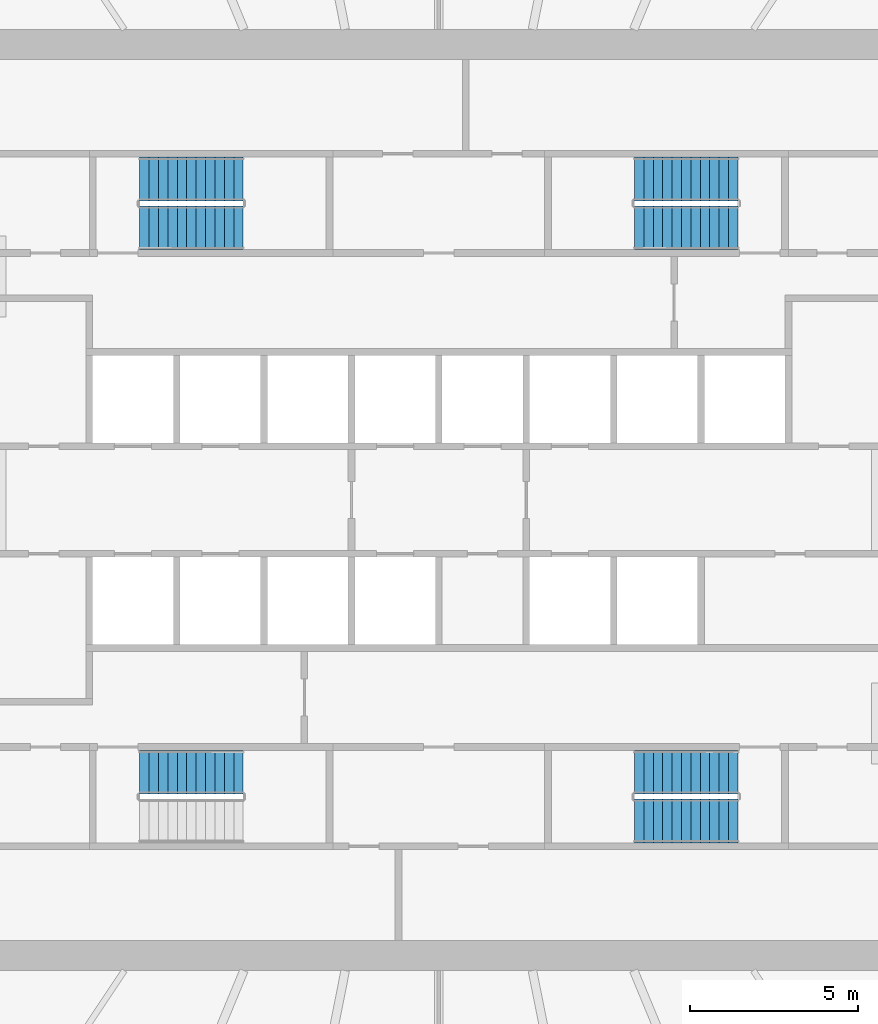
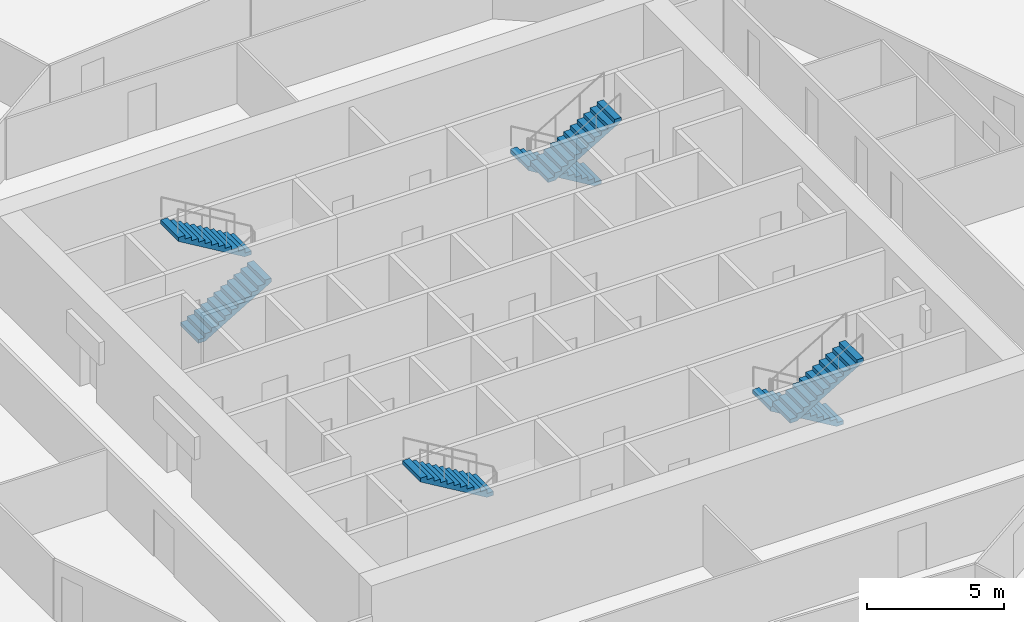
# One storey, part 8 of 9: 7 stair flights, 4 elements without a shape of their own.
"""IFC4 building model written with IfcOpenShell, lengths in metres."""

from ifc_helpers import new_model, si_unit, direction, frame, origin, place, context, subcontext, project, spatial, polyline, outline, extrude, material, type_object, element, aggregate, save


model = new_model("IFC4")

# Units and contexts
model_context = context("Model", 3, precision=1e-05, world=origin(), true_north=direction((0.0, 1.0)))
body_context = subcontext(model_context, "Body", "Model", "MODEL_VIEW")
ifc_project = project(units=[si_unit("LENGTHUNIT", "METRE"), si_unit("AREAUNIT", "SQUARE_METRE"), si_unit("VOLUMEUNIT", "CUBIC_METRE"), si_unit("PLANEANGLEUNIT", "RADIAN"), si_unit("MASSUNIT", "GRAM", prefix="KILO")], contexts=[model_context])

# Site, building, storey
site_placement = place(None, origin())
site = spatial("IfcSite", under=ifc_project, at=site_placement, CompositionType="ELEMENT")
building_placement = place(site_placement, origin())
building = spatial("IfcBuilding", under=site, at=building_placement, Name="Corvane Civic Tower", CompositionType="ELEMENT")
storey_placement = place(building_placement, frame((0.0, 0.0, 180.0)))
storey = spatial("IfcBuildingStorey", under=building, at=storey_placement, Name="L42", CompositionType="ELEMENT", Elevation=180.0)

# Stair, stair flights
ifc_material_1 = material(Name="Concrete C40/50", Category="concrete")
stair_type = type_object("IfcStairType", Name="ST-STAIR-HALFTURN", PredefinedType="HALF_TURN_STAIR", material=ifc_material_1)
stair_1_placement = place(storey_placement, origin())
stair_1 = element("IfcStair", 1, at=stair_1_placement, inside=storey, type_object=stair_type, Name="L42 Exit stair ST1", PredefinedType="HALF_TURN_STAIR")
ifc_material_2 = material(Name="Concrete C40/50", Category="concrete")
stair_flight_type = type_object("IfcStairFlightType", Name="ST-FLIGHT-RC", PredefinedType="STRAIGHT", material=ifc_material_2)
stair_flight_1_placement = place(storey_placement, frame((8.89990234375, 9.550048828125, 0.0), z_axis=(0.0, 0.0, 1.0), x_axis=(-1.0, 0.0, 0.0)))
stair_flight_1 = element("IfcStairFlight", 2, at=stair_flight_1_placement, type_object=stair_flight_type, Name="ST1 flight 1", NumberOfRisers=12, NumberOfTreads=11, PredefinedType="STRAIGHT", RiserHeight=0.166666667, TreadLength=0.28, context=body_context, shape_type="SweptSolid", body=[
    extrude(outline(polyline([(0.0, 0.0), (0.0, 0.166748046875), (0.280029296875, 0.166748046875), (0.280029296875, 0.333251953125), (0.56005859375, 0.333251953125), (0.56005859375, 0.5), (0.840087890625, 0.5), (0.840087890625, 0.666748046875), (1.1201171875, 0.666748046875), (1.1201171875, 0.833251953125), (1.39990234375, 0.833251953125), (1.39990234375, 1.0), (1.679931640625, 1.0), (1.679931640625, 1.166748046875), (1.9599609375, 1.166748046875), (1.9599609375, 1.333251953125), (2.239990234375, 1.333251953125), (2.239990234375, 1.5), (2.52001953125, 1.5), (2.52001953125, 1.666748046875), (2.800048828125, 1.666748046875), (2.800048828125, 1.833251953125), (3.080078125, 1.833251953125), (3.080078125, 2.0), (3.080078125, 1.658935546875), (0.29296875, 0.0), (0.0, 0.0)])), frame((0.0, 0.64990234375, 0.0), z_axis=(0.0, -1.0, 0.0), x_axis=(1.0, 0.0, 0.0)), (0.0, 0.0, 1.0), 1.300048828125),
])
stair_flight_2_placement = place(storey_placement, frame((5.820068359375, 8.10009765625, 2.0), z_axis=(0.0, 0.0, 1.0), x_axis=(1.0, 0.0, 0.0)))
stair_flight_2 = element("IfcStairFlight", 3, at=stair_flight_2_placement, type_object=stair_flight_type, Name="ST1 flight 2", NumberOfRisers=12, NumberOfTreads=11, PredefinedType="STRAIGHT", RiserHeight=0.166666667, TreadLength=0.28, context=body_context, shape_type="SweptSolid", body=[
    extrude(outline(polyline([(0.0, 0.0), (0.0, 0.166748046875), (0.280029296875, 0.166748046875), (0.280029296875, 0.333251953125), (0.56005859375, 0.333251953125), (0.56005859375, 0.5), (0.840087890625, 0.5), (0.840087890625, 0.666748046875), (1.1201171875, 0.666748046875), (1.1201171875, 0.833251953125), (1.39990234375, 0.833251953125), (1.39990234375, 1.0), (1.679931640625, 1.0), (1.679931640625, 1.166748046875), (1.9599609375, 1.166748046875), (1.9599609375, 1.333251953125), (2.239990234375, 1.333251953125), (2.239990234375, 1.5), (2.52001953125, 1.5), (2.52001953125, 1.666748046875), (2.800048828125, 1.666748046875), (2.800048828125, 1.833251953125), (3.080078125, 1.833251953125), (3.080078125, 2.0), (3.080078125, 1.658935546875), (0.29296875, 0.0), (0.0, 0.0)])), frame((0.0, 0.64990234375, 0.0), z_axis=(0.0, -1.0, 0.0), x_axis=(1.0, 0.0, 0.0)), (0.0, 0.0, 1.0), 1.300048828125),
])
aggregate(stair_1, [stair_flight_1, stair_flight_2])

stair_2_placement = place(storey_placement, origin())
stair_2 = element("IfcStair", 4, at=stair_2_placement, inside=storey, type_object=stair_type, Name="L42 Exit stair ST2", PredefinedType="HALF_TURN_STAIR")
stair_flight_3_placement = place(storey_placement, frame((8.89990234375, -8.10009765625, 0.0), z_axis=(0.0, 0.0, 1.0), x_axis=(-1.0, 0.0, 0.0)))
stair_flight_3 = element("IfcStairFlight", 5, at=stair_flight_3_placement, type_object=stair_flight_type, Name="ST2 flight 1", NumberOfRisers=12, NumberOfTreads=11, PredefinedType="STRAIGHT", RiserHeight=0.166666667, TreadLength=0.28, context=body_context, shape_type="SweptSolid", body=[
    extrude(outline(polyline([(0.0, 0.0), (0.0, 0.166748046875), (0.280029296875, 0.166748046875), (0.280029296875, 0.333251953125), (0.56005859375, 0.333251953125), (0.56005859375, 0.5), (0.840087890625, 0.5), (0.840087890625, 0.666748046875), (1.1201171875, 0.666748046875), (1.1201171875, 0.833251953125), (1.39990234375, 0.833251953125), (1.39990234375, 1.0), (1.679931640625, 1.0), (1.679931640625, 1.166748046875), (1.9599609375, 1.166748046875), (1.9599609375, 1.333251953125), (2.239990234375, 1.333251953125), (2.239990234375, 1.5), (2.52001953125, 1.5), (2.52001953125, 1.666748046875), (2.800048828125, 1.666748046875), (2.800048828125, 1.833251953125), (3.080078125, 1.833251953125), (3.080078125, 2.0), (3.080078125, 1.658935546875), (0.29296875, 0.0), (0.0, 0.0)])), frame((0.0, 0.64990234375, 0.0), z_axis=(0.0, -1.0, 0.0), x_axis=(1.0, 0.0, 0.0)), (0.0, 0.0, 1.0), 1.300048828125),
])
stair_flight_4_placement = place(storey_placement, frame((5.820068359375, -9.550048828125, 2.0), z_axis=(0.0, 0.0, 1.0), x_axis=(1.0, 0.0, 0.0)))
stair_flight_4 = element("IfcStairFlight", 6, at=stair_flight_4_placement, type_object=stair_flight_type, Name="ST2 flight 2", NumberOfRisers=12, NumberOfTreads=11, PredefinedType="STRAIGHT", RiserHeight=0.166666667, TreadLength=0.28, context=body_context, shape_type="SweptSolid", body=[
    extrude(outline(polyline([(0.0, 0.0), (0.0, 0.166748046875), (0.280029296875, 0.166748046875), (0.280029296875, 0.333251953125), (0.56005859375, 0.333251953125), (0.56005859375, 0.5), (0.840087890625, 0.5), (0.840087890625, 0.666748046875), (1.1201171875, 0.666748046875), (1.1201171875, 0.833251953125), (1.39990234375, 0.833251953125), (1.39990234375, 1.0), (1.679931640625, 1.0), (1.679931640625, 1.166748046875), (1.9599609375, 1.166748046875), (1.9599609375, 1.333251953125), (2.239990234375, 1.333251953125), (2.239990234375, 1.5), (2.52001953125, 1.5), (2.52001953125, 1.666748046875), (2.800048828125, 1.666748046875), (2.800048828125, 1.833251953125), (3.080078125, 1.833251953125), (3.080078125, 2.0), (3.080078125, 1.658935546875), (0.29296875, 0.0), (0.0, 0.0)])), frame((0.0, 0.64990234375, 0.0), z_axis=(0.0, -1.0, 0.0), x_axis=(1.0, 0.0, 0.0)), (0.0, 0.0, 1.0), 1.300048828125),
])
aggregate(stair_2, [stair_flight_3, stair_flight_4])

# Stair, stair flight
stair_3_placement = place(storey_placement, origin())
stair_3 = element("IfcStair", 7, at=stair_3_placement, inside=storey, type_object=stair_type, Name="L42 Exit stair ST3", PredefinedType="HALF_TURN_STAIR")
stair_flight_5_placement = place(storey_placement, frame((-5.820068359375, -8.10009765625, 2.0), z_axis=(0.0, 0.0, 1.0), x_axis=(-1.0, 0.0, 0.0)))
stair_flight_5 = element("IfcStairFlight", 8, at=stair_flight_5_placement, type_object=stair_flight_type, Name="ST3 flight 2", NumberOfRisers=12, NumberOfTreads=11, PredefinedType="STRAIGHT", RiserHeight=0.166666667, TreadLength=0.28, context=body_context, shape_type="SweptSolid", body=[
    extrude(outline(polyline([(0.0, 0.0), (0.0, 0.166748046875), (0.280029296875, 0.166748046875), (0.280029296875, 0.333251953125), (0.56005859375, 0.333251953125), (0.56005859375, 0.5), (0.840087890625, 0.5), (0.840087890625, 0.666748046875), (1.1201171875, 0.666748046875), (1.1201171875, 0.833251953125), (1.39990234375, 0.833251953125), (1.39990234375, 1.0), (1.679931640625, 1.0), (1.679931640625, 1.166748046875), (1.9599609375, 1.166748046875), (1.9599609375, 1.333251953125), (2.239990234375, 1.333251953125), (2.239990234375, 1.5), (2.52001953125, 1.5), (2.52001953125, 1.666748046875), (2.800048828125, 1.666748046875), (2.800048828125, 1.833251953125), (3.080078125, 1.833251953125), (3.080078125, 2.0), (3.080078125, 1.658935546875), (0.29296875, 0.0), (0.0, 0.0)])), frame((0.0, 0.64990234375, 0.0), z_axis=(0.0, -1.0, 0.0), x_axis=(1.0, 0.0, 0.0)), (0.0, 0.0, 1.0), 1.300048828125),
])
aggregate(stair_3, [stair_flight_5])

# Stair, stair flights
stair_4_placement = place(storey_placement, origin())
stair_4 = element("IfcStair", 9, at=stair_4_placement, inside=storey, type_object=stair_type, Name="L42 Exit stair ST4", PredefinedType="HALF_TURN_STAIR")
stair_flight_6_placement = place(storey_placement, frame((-8.89990234375, 8.10009765625, 0.0), z_axis=(0.0, 0.0, 1.0), x_axis=(1.0, 0.0, 0.0)))
stair_flight_6 = element("IfcStairFlight", 10, at=stair_flight_6_placement, type_object=stair_flight_type, Name="ST4 flight 1", NumberOfRisers=12, NumberOfTreads=11, PredefinedType="STRAIGHT", RiserHeight=0.166666667, TreadLength=0.28, context=body_context, shape_type="SweptSolid", body=[
    extrude(outline(polyline([(0.0, 0.0), (0.0, 0.166748046875), (0.280029296875, 0.166748046875), (0.280029296875, 0.333251953125), (0.56005859375, 0.333251953125), (0.56005859375, 0.5), (0.840087890625, 0.5), (0.840087890625, 0.666748046875), (1.1201171875, 0.666748046875), (1.1201171875, 0.833251953125), (1.39990234375, 0.833251953125), (1.39990234375, 1.0), (1.679931640625, 1.0), (1.679931640625, 1.166748046875), (1.9599609375, 1.166748046875), (1.9599609375, 1.333251953125), (2.239990234375, 1.333251953125), (2.239990234375, 1.5), (2.52001953125, 1.5), (2.52001953125, 1.666748046875), (2.800048828125, 1.666748046875), (2.800048828125, 1.833251953125), (3.080078125, 1.833251953125), (3.080078125, 2.0), (3.080078125, 1.658935546875), (0.29296875, 0.0), (0.0, 0.0)])), frame((0.0, 0.64990234375, 0.0), z_axis=(0.0, -1.0, 0.0), x_axis=(1.0, 0.0, 0.0)), (0.0, 0.0, 1.0), 1.300048828125),
])
stair_flight_7_placement = place(storey_placement, frame((-5.820068359375, 9.550048828125, 2.0), z_axis=(0.0, 0.0, 1.0), x_axis=(-1.0, 0.0, 0.0)))
stair_flight_7 = element("IfcStairFlight", 11, at=stair_flight_7_placement, type_object=stair_flight_type, Name="ST4 flight 2", NumberOfRisers=12, NumberOfTreads=11, PredefinedType="STRAIGHT", RiserHeight=0.166666667, TreadLength=0.28, context=body_context, shape_type="SweptSolid", body=[
    extrude(outline(polyline([(0.0, 0.0), (0.0, 0.166748046875), (0.280029296875, 0.166748046875), (0.280029296875, 0.333251953125), (0.56005859375, 0.333251953125), (0.56005859375, 0.5), (0.840087890625, 0.5), (0.840087890625, 0.666748046875), (1.1201171875, 0.666748046875), (1.1201171875, 0.833251953125), (1.39990234375, 0.833251953125), (1.39990234375, 1.0), (1.679931640625, 1.0), (1.679931640625, 1.166748046875), (1.9599609375, 1.166748046875), (1.9599609375, 1.333251953125), (2.239990234375, 1.333251953125), (2.239990234375, 1.5), (2.52001953125, 1.5), (2.52001953125, 1.666748046875), (2.800048828125, 1.666748046875), (2.800048828125, 1.833251953125), (3.080078125, 1.833251953125), (3.080078125, 2.0), (3.080078125, 1.658935546875), (0.29296875, 0.0), (0.0, 0.0)])), frame((0.0, 0.64990234375, 0.0), z_axis=(0.0, -1.0, 0.0), x_axis=(1.0, 0.0, 0.0)), (0.0, 0.0, 1.0), 1.300048828125),
])
aggregate(stair_4, [stair_flight_6, stair_flight_7])

save(model, "model.ifc")
